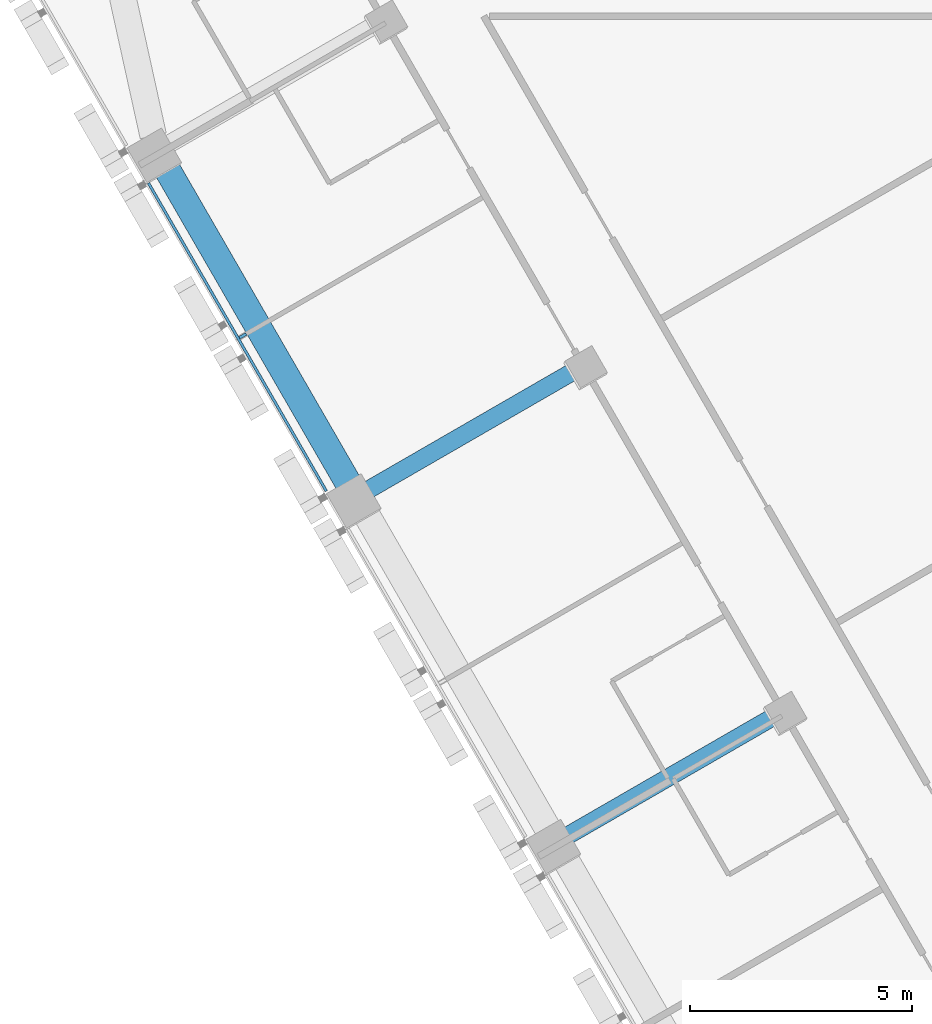
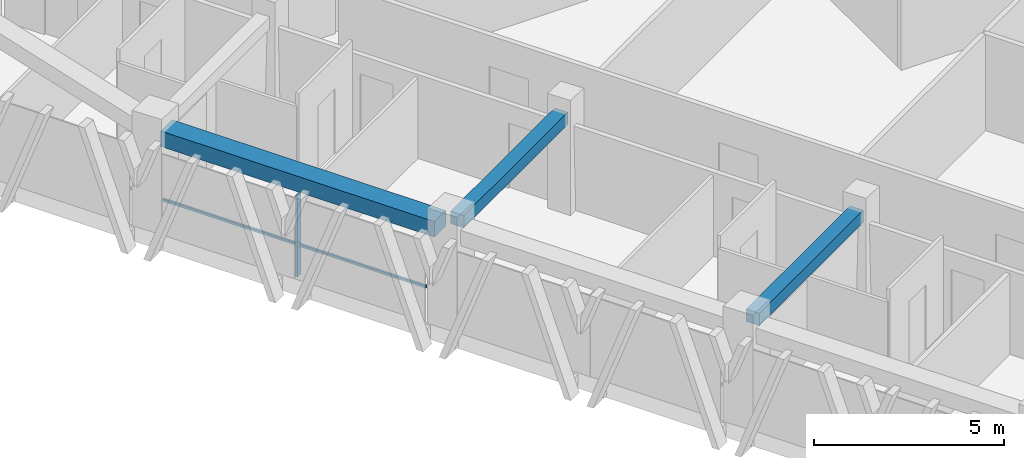
# One storey, part 3 of 16: 3 beams, 2 members, 1 element without a shape of its own.
"""IFC4 building model written with IfcOpenShell, lengths in metres."""

from ifc_helpers import new_model, si_unit, direction, frame, origin, origin_2d, place, context, subcontext, project, spatial, rectangle, extrude, material, layer, layer_set, material_profile, profile_set, type_object, element, aggregate, save


model = new_model("IFC4")

# Units and contexts
model_context = context("Model", 3, precision=1e-05, world=origin(), true_north=direction((0.0, 1.0)))
body_context = subcontext(model_context, "Body", "Model", "MODEL_VIEW")
ifc_project = project(units=[si_unit("LENGTHUNIT", "METRE"), si_unit("AREAUNIT", "SQUARE_METRE"), si_unit("VOLUMEUNIT", "CUBIC_METRE"), si_unit("PLANEANGLEUNIT", "RADIAN"), si_unit("MASSUNIT", "GRAM", prefix="KILO")], contexts=[model_context])

# Site, building, storey
site_placement = place(None, origin())
site = spatial("IfcSite", under=ifc_project, at=site_placement, CompositionType="ELEMENT")
building_placement = place(site_placement, origin())
building = spatial("IfcBuilding", under=site, at=building_placement, Name="Altiplano Prism Tower", CompositionType="ELEMENT")
storey_placement = place(building_placement, frame((0.0, 0.0, 73.800048828125)))
storey = spatial("IfcBuildingStorey", under=building, at=storey_placement, Name="L18", CompositionType="ELEMENT", Elevation=73.800048828125)

# Curtain wall, members
ifc_material_1 = material(Name="Aluminium and glass", Category="aluminium")
ifc_layer = layer(ifc_material_1, 0.280029296875)
ifc_layer_set = layer_set([ifc_layer], Name="Aluminium and glass")
curtain_wall_type = type_object("IfcCurtainWallType", Name="CW1 typical co-living unitised curtain wall", PredefinedType="NOTDEFINED", material=ifc_layer_set)
curtain_wall_placement = place(storey_placement, origin())
curtain_wall = element("IfcCurtainWall", 1, at=curtain_wall_placement, inside=storey, type_object=curtain_wall_type, Name="CW1 curtain wall south-west face L18", PredefinedType="NOTDEFINED")
ifc_material_2 = material(Name="Aluminium", Category="aluminium")
ifc_material_profile_1 = material_profile(ifc_material_2, rectangle(XDim=0.179931640625, YDim=0.06494140625, at=origin_2d()), Name="CW1 mullion 65 x 180")
ifc_profile_set_1 = profile_set([ifc_material_profile_1], Name="Aluminium")
member_type_1 = type_object("IfcMemberType", Name="CW1 mullion 65 x 180", PredefinedType="MULLION", material=ifc_profile_set_1)
member_1_placement = place(storey_placement, frame((63.517822265625, 83.1904296875, 0.0), z_axis=(0.0, 0.0, 1.0), x_axis=(0.866025402161, 0.500000002811, 0.0)))
member_1 = element("IfcMember", 2, at=member_1_placement, type_object=member_type_1, Name="CW1 mullion", PredefinedType="MULLION", context=body_context, shape_type="SweptSolid", body=[
    extrude(rectangle(XDim=0.179931640625, YDim=0.06494140625, at=origin_2d()), origin(), (0.0, 0.0, 1.0), 2.599853515625),
])
ifc_material_profile_2 = material_profile(ifc_material_2, rectangle(XDim=0.06005859375, YDim=0.080078125, at=origin_2d()), Name="CW1 transom 80 x 60")
ifc_profile_set_2 = profile_set([ifc_material_profile_2], Name="Aluminium")
member_type_2 = type_object("IfcMemberType", Name="CW1 transom 80 x 60", PredefinedType="USERDEFINED", material=ifc_profile_set_2)
member_2_placement = place(storey_placement, frame((61.389404296875, 86.63720703125, 1.099853515625), z_axis=(0.499976305243, -0.866039083527, 0.0), x_axis=(0.866039083527, 0.499976305243, 0.0)))
member_2 = element("IfcMember", 3, at=member_2_placement, type_object=member_type_2, Name="CW1 transom", ObjectType="TRANSOM", PredefinedType="USERDEFINED", context=body_context, shape_type="SweptSolid", body=[
    extrude(rectangle(XDim=0.06005859375, YDim=0.080078125, at=origin_2d()), origin(), (0.0, 0.0, 1.0), 8.02001953125),
])
aggregate(curtain_wall, [member_1, member_2])

# Beams
ifc_material_3 = material(Name="Concrete C60/75", Category="concrete")
ifc_material_profile_3 = material_profile(ifc_material_3, rectangle(XDim=0.60009765625, YDim=0.5, at=origin_2d()), Name="Edge beam 600x500")
ifc_profile_set_3 = profile_set([ifc_material_profile_3], Name="Concrete C60/75")
beam_type_1 = type_object("IfcBeamType", Name="Edge beam 600x500", PredefinedType="SPANDREL", material=ifc_profile_set_3)
beam_placement = place(storey_placement, frame((61.738037109375, 87.0703125, 2.849853515625), z_axis=(0.499992746786, -0.866029591389, 0.0), x_axis=(0.866029591389, 0.499992746786, 0.0)))
element("IfcBeam", 4, at=beam_placement, inside=storey, type_object=beam_type_1, Name="Edge beam P11-P12 L19", PredefinedType="SPANDREL", context=body_context, shape_type="SweptSolid", body=[
    extrude(rectangle(XDim=0.60009765625, YDim=0.5, at=origin_2d()), origin(), (0.0, 0.0, 1.0), 8.33984375),
])
ifc_material_profile_4 = material_profile(ifc_material_3, rectangle(XDim=0.39990234375, YDim=0.39990234375, at=origin_2d()), Name="Tie beam 400x400")
ifc_profile_set_4 = profile_set([ifc_material_profile_4], Name="Concrete C60/75")
beam_type_2 = type_object("IfcBeamType", Name="Tie beam 400x400", PredefinedType="BEAM", material=ifc_profile_set_4)
for number, where, z_axis, x_axis, name in (
    (5, (71.11328125, 82.4716796875, 2.89990234375), (-0.866031549307, -0.499989355492, 0.0), (0.499989355492, -0.866031549307, 0.0), "Tie beam I12 L19"),
    (6, (75.61328125, 74.677490234375, 2.89990234375), (-0.866031549307, -0.499989355492, 0.0), (0.499989355492, -0.866031549307, 0.0), "Tie beam I13 L19"),
):
    element("IfcBeam", number, at=place(storey_placement, frame(where, z_axis=z_axis, x_axis=x_axis)), inside=storey, type_object=beam_type_2, Name=name, PredefinedType="BEAM", context=body_context, shape_type="SweptSolid", body=[
        extrude(rectangle(XDim=0.39990234375, YDim=0.39990234375, at=origin_2d()), origin(), (0.0, 0.0, 1.0), 5.48974609375),
    ])

save(model, "model.ifc")
